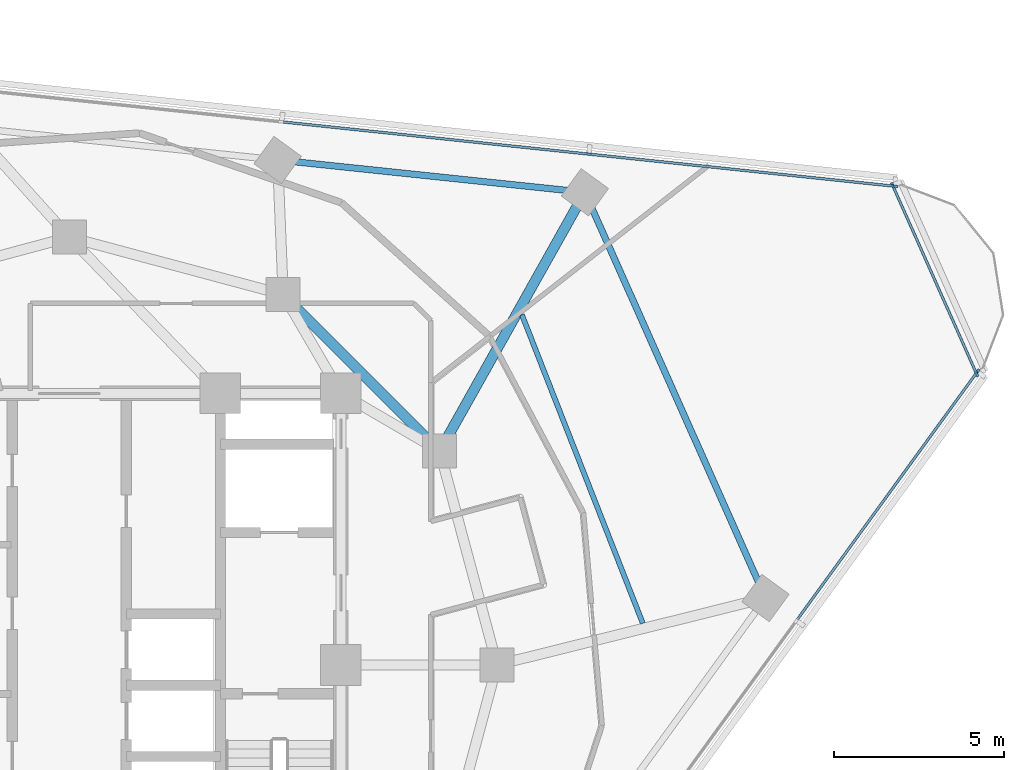
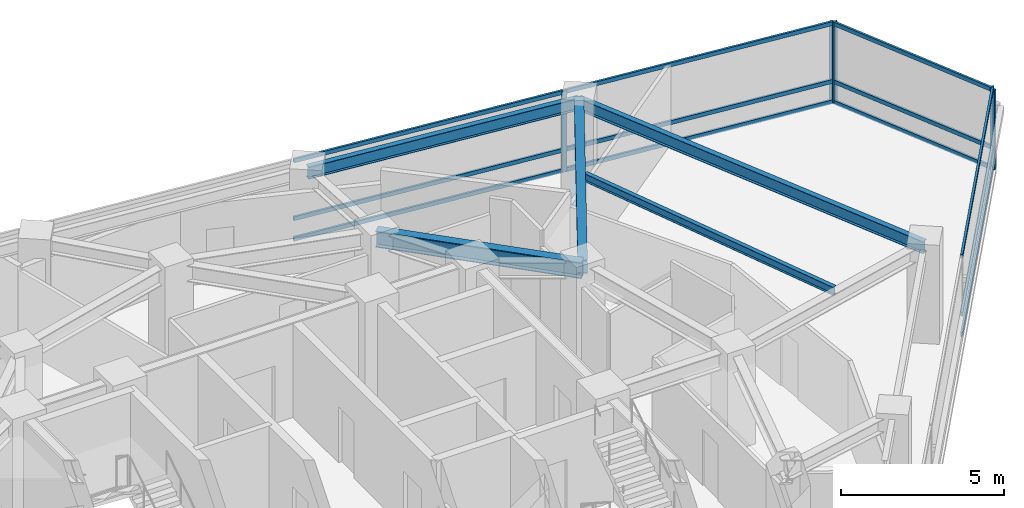
# One storey, part 6 of 14: 17 members, 5 beams, 3 elements without a shape of their own.
"""IFC4 building model written with IfcOpenShell, lengths in metres."""

from ifc_helpers import new_model, si_unit, direction, frame, origin, origin_2d, place, context, subcontext, project, spatial, rectangle, i_section, extrude, material, layer, layer_set, material_profile, profile_set, type_object, element, aggregate, save


model = new_model("IFC4")

# Units and contexts
model_context = context("Model", 3, precision=1e-05, world=origin(), true_north=direction((0.0, 1.0)))
body_context = subcontext(model_context, "Body", "Model", "MODEL_VIEW")
ifc_project = project(units=[si_unit("LENGTHUNIT", "METRE"), si_unit("AREAUNIT", "SQUARE_METRE"), si_unit("VOLUMEUNIT", "CUBIC_METRE"), si_unit("PLANEANGLEUNIT", "RADIAN"), si_unit("MASSUNIT", "GRAM", prefix="KILO")], contexts=[model_context])

# Site, building, storey
site_placement = place(None, origin())
site = spatial("IfcSite", under=ifc_project, at=site_placement, CompositionType="ELEMENT")
building_placement = place(site_placement, origin())
building = spatial("IfcBuilding", under=site, at=building_placement, Name="Terralouvre Media Tower", CompositionType="ELEMENT")
storey_placement = place(building_placement, frame((0.0, 0.0, 226.300048828125)))
storey = spatial("IfcBuildingStorey", under=building, at=storey_placement, Name="L58", CompositionType="ELEMENT", Elevation=226.300048828125)

# Beam
ifc_material_1 = material(Name="Structural steel S355J2", Category="steel")
ifc_material_profile_1 = material_profile(ifc_material_1, i_section(OverallWidth=0.14990234375, OverallDepth=0.300048828125, WebThickness=0.007080078125, FlangeThickness=0.0107421875, at=origin_2d()), Name="IPE 300")
ifc_profile_set_1 = profile_set([ifc_material_profile_1], Name="Structural steel S355J2")
beam_type_1 = type_object("IfcBeamType", Name="Composite Floor Joist J-IPE300 (IPE 300)", PredefinedType="JOIST", material=ifc_profile_set_1)
beam_1_placement = place(storey_placement, frame((16.89599609375, 1.2236328125, 3.349853515625), z_axis=(-0.364828295423, 0.931074817004, 0.0), x_axis=(-0.931074817004, -0.364828295423, 0.0)))
element("IfcBeam", 1, at=beam_1_placement, inside=storey, type_object=beam_type_1, Name="L58 Framing Beam JT-L58-03", PredefinedType="JOIST", context=body_context, shape_type="SweptSolid", body=[
    extrude(i_section(OverallWidth=0.14990234375, OverallDepth=0.300048828125, WebThickness=0.007080078125, FlangeThickness=0.0107421875, at=origin_2d()), origin(), (0.0, 0.0, 1.0), 9.763427734375),
])

# Curtain wall, members
ifc_material_2 = material(Name="Low-iron laminated double glazing with solar-control coating", Category="glass")
ifc_layer_1 = layer(ifc_material_2, 0.1650390625, Name="Upper Executive Tower Curtain Wall CW-05")
ifc_layer_set_1 = layer_set([ifc_layer_1], Name="Low-iron laminated double glazing with solar-control coating")
curtain_wall_type_1 = type_object("IfcCurtainWallType", Name="Upper Executive Tower Curtain Wall CW-05", PredefinedType="NOTDEFINED", material=ifc_layer_set_1)
curtain_wall_1_placement = place(storey_placement, origin())
curtain_wall_1 = element("IfcCurtainWall", 2, at=curtain_wall_1_placement, inside=storey, type_object=curtain_wall_type_1, Name="L58 Facade Curtain Wall F0", PredefinedType="NOTDEFINED")
ifc_material_3 = material(Name="Anodised extruded aluminium 6063-T6", Category="aluminium")
ifc_material_profile_2 = material_profile(ifc_material_3, rectangle(XDim=0.074951171875, YDim=0.14990234375, at=origin_2d()), Name="ALU 75x150")
ifc_profile_set_2 = profile_set([ifc_material_profile_2], Name="Anodised extruded aluminium 6063-T6")
member_type_1 = type_object("IfcMemberType", Name="Curtain-Wall Horizontal Transom TR-150", PredefinedType="USERDEFINED", material=ifc_profile_set_2)
member_1_placement = place(storey_placement, frame((21.446533203125, 1.3369140625, 0.037353515625), z_axis=(0.587787215692, 0.809015567878, 0.0), x_axis=(-0.809015567878, 0.587787215692, 0.0)))
member_1 = element("IfcMember", 3, at=member_1_placement, type_object=member_type_1, Name="CW-05 transom 5.1", ObjectType="TRANSOM", PredefinedType="USERDEFINED", context=body_context, shape_type="SweptSolid", body=[
    extrude(rectangle(XDim=0.074951171875, YDim=0.14990234375, at=origin_2d()), origin(), (0.0, 0.0, 1.0), 8.987548828125),
])
member_2_placement = place(storey_placement, frame((21.446533203125, 1.3369140625, 0.800048828125), z_axis=(0.587787215692, 0.809015567878, 0.0), x_axis=(-0.809015567878, 0.587787215692, 0.0)))
member_2 = element("IfcMember", 4, at=member_2_placement, type_object=member_type_1, Name="CW-05 transom 5.2", ObjectType="TRANSOM", PredefinedType="USERDEFINED", context=body_context, shape_type="SweptSolid", body=[
    extrude(rectangle(XDim=0.074951171875, YDim=0.14990234375, at=origin_2d()), origin(), (0.0, 0.0, 1.0), 8.987548828125),
])
member_3_placement = place(storey_placement, frame((21.446533203125, 1.3369140625, 2.96240234375), z_axis=(0.587787215692, 0.809015567878, 0.0), x_axis=(-0.809015567878, 0.587787215692, 0.0)))
member_3 = element("IfcMember", 5, at=member_3_placement, type_object=member_type_1, Name="CW-05 transom 5.3", ObjectType="TRANSOM", PredefinedType="USERDEFINED", context=body_context, shape_type="SweptSolid", body=[
    extrude(rectangle(XDim=0.074951171875, YDim=0.14990234375, at=origin_2d()), origin(), (0.0, 0.0, 1.0), 8.987548828125),
])

curtain_wall_2_placement = place(storey_placement, origin())
curtain_wall_2 = element("IfcCurtainWall", 6, at=curtain_wall_2_placement, inside=storey, type_object=curtain_wall_type_1, Name="L58 Facade Curtain Wall F1", PredefinedType="NOTDEFINED")
member_4_placement = place(storey_placement, frame((24.2822265625, 14.103759765625, 0.037353515625), z_axis=(-0.994521813919, 0.104529238206, 0.0), x_axis=(-0.104529238206, -0.994521813919, 0.0)))
member_4 = element("IfcMember", 7, at=member_4_placement, type_object=member_type_1, Name="CW-05 transom 1.1", ObjectType="TRANSOM", PredefinedType="USERDEFINED", context=body_context, shape_type="SweptSolid", body=[
    extrude(rectangle(XDim=0.074951171875, YDim=0.14990234375, at=origin_2d()), origin(), (0.0, 0.0, 1.0), 8.987548828125),
])
member_5_placement = place(storey_placement, frame((24.2822265625, 14.103759765625, 0.800048828125), z_axis=(-0.994521813919, 0.104529238206, 0.0), x_axis=(-0.104529238206, -0.994521813919, 0.0)))
member_5 = element("IfcMember", 8, at=member_5_placement, type_object=member_type_1, Name="CW-05 transom 1.2", ObjectType="TRANSOM", PredefinedType="USERDEFINED", context=body_context, shape_type="SweptSolid", body=[
    extrude(rectangle(XDim=0.074951171875, YDim=0.14990234375, at=origin_2d()), origin(), (0.0, 0.0, 1.0), 8.987548828125),
])
member_6_placement = place(storey_placement, frame((24.2822265625, 14.103759765625, 2.96240234375), z_axis=(-0.994521813919, 0.104529238206, 0.0), x_axis=(-0.104529238206, -0.994521813919, 0.0)))
member_6 = element("IfcMember", 9, at=member_6_placement, type_object=member_type_1, Name="CW-05 transom 1.3", ObjectType="TRANSOM", PredefinedType="USERDEFINED", context=body_context, shape_type="SweptSolid", body=[
    extrude(rectangle(XDim=0.074951171875, YDim=0.14990234375, at=origin_2d()), origin(), (0.0, 0.0, 1.0), 8.987548828125),
])
member_7_placement = place(storey_placement, frame((15.26953125, 15.051025390625, 0.037353515625), z_axis=(-0.994522041896, 0.104527069141, 0.0), x_axis=(-0.104527069141, -0.994522041896, 0.0)))
member_7 = element("IfcMember", 10, at=member_7_placement, type_object=member_type_1, Name="CW-05 transom 2.1", ObjectType="TRANSOM", PredefinedType="USERDEFINED", context=body_context, shape_type="SweptSolid", body=[
    extrude(rectangle(XDim=0.074951171875, YDim=0.14990234375, at=origin_2d()), origin(), (0.0, 0.0, 1.0), 9.025146484375),
])
member_8_placement = place(storey_placement, frame((15.26953125, 15.051025390625, 0.800048828125), z_axis=(-0.994522041896, 0.104527069141, 0.0), x_axis=(-0.104527069141, -0.994522041896, 0.0)))
member_8 = element("IfcMember", 11, at=member_8_placement, type_object=member_type_1, Name="CW-05 transom 2.2", ObjectType="TRANSOM", PredefinedType="USERDEFINED", context=body_context, shape_type="SweptSolid", body=[
    extrude(rectangle(XDim=0.074951171875, YDim=0.14990234375, at=origin_2d()), origin(), (0.0, 0.0, 1.0), 9.025146484375),
])
member_9_placement = place(storey_placement, frame((15.26953125, 15.051025390625, 2.96240234375), z_axis=(-0.994522041896, 0.104527069141, 0.0), x_axis=(-0.104527069141, -0.994522041896, 0.0)))
member_9 = element("IfcMember", 12, at=member_9_placement, type_object=member_type_1, Name="CW-05 transom 2.3", ObjectType="TRANSOM", PredefinedType="USERDEFINED", context=body_context, shape_type="SweptSolid", body=[
    extrude(rectangle(XDim=0.074951171875, YDim=0.14990234375, at=origin_2d()), origin(), (0.0, 0.0, 1.0), 9.025146484375),
])

ifc_material_4 = material(Name="Low-iron laminated double glazing with solar-control coating", Category="glass")
ifc_layer_2 = layer(ifc_material_4, 0.1650390625, Name="Rounded Wind-Corner Curved Glazing CW-04")
ifc_layer_set_2 = layer_set([ifc_layer_2], Name="Low-iron laminated double glazing with solar-control coating")
curtain_wall_type_2 = type_object("IfcCurtainWallType", Name="Rounded Wind-Corner Curved Glazing CW-04", PredefinedType="NOTDEFINED", material=ifc_layer_set_2)
curtain_wall_3_placement = place(storey_placement, origin())
curtain_wall_3 = element("IfcCurtainWall", 13, at=curtain_wall_3_placement, inside=storey, type_object=curtain_wall_type_2, Name="L58 Rounded Wind-Corner Curtain Wall C1", PredefinedType="NOTDEFINED")
member_10_placement = place(storey_placement, frame((26.7119140625, 8.609619140625, 0.037353515625), z_axis=(-0.406735002592, 0.913546188031, 0.0), x_axis=(-0.913546188031, -0.406735002592, 0.0)))
member_10 = element("IfcMember", 14, at=member_10_placement, type_object=member_type_1, Name="CW-04 transom 1.1", ObjectType="TRANSOM", PredefinedType="USERDEFINED", context=body_context, shape_type="SweptSolid", body=[
    extrude(rectangle(XDim=0.074951171875, YDim=0.14990234375, at=origin_2d()), origin(), (0.0, 0.0, 1.0), 5.998779296875),
])
member_11_placement = place(storey_placement, frame((26.7119140625, 8.609619140625, 0.800048828125), z_axis=(-0.406735002592, 0.913546188031, 0.0), x_axis=(-0.913546188031, -0.406735002592, 0.0)))
member_11 = element("IfcMember", 15, at=member_11_placement, type_object=member_type_1, Name="CW-04 transom 1.2", ObjectType="TRANSOM", PredefinedType="USERDEFINED", context=body_context, shape_type="SweptSolid", body=[
    extrude(rectangle(XDim=0.074951171875, YDim=0.14990234375, at=origin_2d()), origin(), (0.0, 0.0, 1.0), 5.998779296875),
])
member_12_placement = place(storey_placement, frame((26.7119140625, 8.609619140625, 2.96240234375), z_axis=(-0.406735002592, 0.913546188031, 0.0), x_axis=(-0.913546188031, -0.406735002592, 0.0)))
member_12 = element("IfcMember", 16, at=member_12_placement, type_object=member_type_1, Name="CW-04 transom 1.3", ObjectType="TRANSOM", PredefinedType="USERDEFINED", context=body_context, shape_type="SweptSolid", body=[
    extrude(rectangle(XDim=0.074951171875, YDim=0.14990234375, at=origin_2d()), origin(), (0.0, 0.0, 1.0), 5.998779296875),
])

# Member
ifc_material_5 = material(Name="Anodised extruded aluminium 6063-T6", Category="aluminium")
ifc_material_profile_3 = material_profile(ifc_material_5, rectangle(XDim=0.074951171875, YDim=0.179931640625, at=origin_2d()), Name="ALU 75x180")
ifc_profile_set_3 = profile_set([ifc_material_profile_3], Name="Anodised extruded aluminium 6063-T6")
member_type_2 = type_object("IfcMemberType", Name="Curtain-Wall Vertical Mullion ML-180", PredefinedType="MULLION", material=ifc_profile_set_3)
member_13_placement = place(storey_placement, frame((26.751220703125, 8.63818359375, 0.0), z_axis=(0.0, 0.0, 1.0), x_axis=(-0.809016959074, 0.587785300879, 0.0)))
member_13 = element("IfcMember", 17, at=member_13_placement, type_object=member_type_2, Name="CW-05 mullion 6", PredefinedType="MULLION", context=body_context, shape_type="SweptSolid", body=[
    extrude(rectangle(XDim=0.074951171875, YDim=0.179931640625, at=origin_2d()), origin(), (0.0, 0.0, 1.0), 3.0),
])

aggregate(curtain_wall_1, [member_13, member_1, member_2, member_3])

member_14_placement = place(storey_placement, frame((24.319580078125, 14.099853515625, 0.0), z_axis=(0.0, 0.0, 1.0), x_axis=(-0.104528561651, -0.994521885028, 0.0)))
member_14 = element("IfcMember", 18, at=member_14_placement, type_object=member_type_2, Name="CW-05 mullion 1", PredefinedType="MULLION", context=body_context, shape_type="SweptSolid", body=[
    extrude(rectangle(XDim=0.074951171875, YDim=0.179931640625, at=origin_2d()), origin(), (0.0, 0.0, 1.0), 3.0),
])

member_15_placement = place(storey_placement, frame((15.306640625, 15.047119140625, 0.0), z_axis=(0.0, 0.0, 1.0), x_axis=(-0.104528561651, -0.994521885028, 0.0)))
member_15 = element("IfcMember", 19, at=member_15_placement, type_object=member_type_2, Name="CW-05 mullion 2", PredefinedType="MULLION", context=body_context, shape_type="SweptSolid", body=[
    extrude(rectangle(XDim=0.074951171875, YDim=0.179931640625, at=origin_2d()), origin(), (0.0, 0.0, 1.0), 3.0),
])

aggregate(curtain_wall_2, [member_14, member_15, member_4, member_5, member_6, member_7, member_8, member_9])

member_16_placement = place(storey_placement, frame((26.727294921875, 8.575439453125, 0.0), z_axis=(0.0, 0.0, 1.0), x_axis=(-0.913545102243, -0.406737441315, 0.0)))
member_16 = element("IfcMember", 20, at=member_16_placement, type_object=member_type_2, Name="CW-04 mullion 1", PredefinedType="MULLION", context=body_context, shape_type="SweptSolid", body=[
    extrude(rectangle(XDim=0.074951171875, YDim=0.179931640625, at=origin_2d()), origin(), (0.0, 0.0, 1.0), 3.0),
])

member_17_placement = place(storey_placement, frame((24.2568359375, 14.1240234375, 0.0), z_axis=(0.0, 0.0, 1.0), x_axis=(-0.913545102243, -0.406737441315, 0.0)))
member_17 = element("IfcMember", 21, at=member_17_placement, type_object=member_type_2, Name="CW-04 mullion 2", PredefinedType="MULLION", context=body_context, shape_type="SweptSolid", body=[
    extrude(rectangle(XDim=0.074951171875, YDim=0.179931640625, at=origin_2d()), origin(), (0.0, 0.0, 1.0), 3.0),
])

aggregate(curtain_wall_3, [member_16, member_17, member_10, member_11, member_12])

# Beams
ifc_material_6 = material(Name="Structural steel S355J2", Category="steel")
ifc_material_profile_4 = material_profile(ifc_material_6, i_section(OverallWidth=0.18994140625, OverallDepth=0.449951171875, WebThickness=0.009521484375, FlangeThickness=0.0146484375, at=origin_2d()), Name="IPE 450")
ifc_profile_set_4 = profile_set([ifc_material_profile_4], Name="Structural steel S355J2")
beam_type_2 = type_object("IfcBeamType", Name="Perimeter Spandrel Beam SPB-450 (IPE 450)", PredefinedType="SPANDREL", material=ifc_profile_set_4)
beam_2_placement = place(storey_placement, frame((20.51025390625, 1.970703125, 3.27490234375), z_axis=(-0.406744336382, 0.913542032323, 0.0), x_axis=(-0.913542032323, -0.406744336382, 0.0)))
element("IfcBeam", 22, at=beam_2_placement, inside=storey, type_object=beam_type_2, Name="L58 Framing Beam BM-L58-PR07", PredefinedType="SPANDREL", context=body_context, shape_type="SweptSolid", body=[
    extrude(i_section(OverallWidth=0.18994140625, OverallDepth=0.449951171875, WebThickness=0.009521484375, FlangeThickness=0.0146484375, at=origin_2d()), origin(), (0.0, 0.0, 1.0), 13.083740234375),
])
beam_3_placement = place(storey_placement, frame((15.1884765625, 13.92333984375, 3.27490234375), z_axis=(-0.994522199081, 0.104525573596, 0.0), x_axis=(-0.104525573596, -0.994522199081, 0.0)))
element("IfcBeam", 23, at=beam_3_placement, inside=storey, type_object=beam_type_2, Name="L58 Framing Beam BM-L58-PR08", PredefinedType="SPANDREL", context=body_context, shape_type="SweptSolid", body=[
    extrude(i_section(OverallWidth=0.18994140625, OverallDepth=0.449951171875, WebThickness=0.009521484375, FlangeThickness=0.0146484375, at=origin_2d()), origin(), (0.0, 0.0, 1.0), 9.099853515625),
])
ifc_material_7 = material(Name="Structural steel S355J2", Category="steel")
ifc_material_profile_5 = material_profile(ifc_material_7, i_section(OverallWidth=0.300048828125, OverallDepth=0.5, WebThickness=0.014404296875, FlangeThickness=0.028076171875, at=origin_2d()), Name="HEB 500")
ifc_profile_set_5 = profile_set([ifc_material_profile_5], Name="Structural steel S355J2")
beam_type_3 = type_object("IfcBeamType", Name="Primary Floor Girder B-HEB500 (HEB 500)", PredefinedType="BEAM", material=ifc_profile_set_5)
beam_4_placement = place(storey_placement, frame((10.911865234375, 6.300048828125, 3.25), z_axis=(0.489262374018, 0.872136646042, 0.0), x_axis=(-0.872136646042, 0.489262374018, 0.0)))
element("IfcBeam", 24, at=beam_4_placement, inside=storey, type_object=beam_type_3, Name="L58 Framing Beam BM-L58-RD08", PredefinedType="BEAM", context=body_context, shape_type="SweptSolid", body=[
    extrude(i_section(OverallWidth=0.300048828125, OverallDepth=0.5, WebThickness=0.014404296875, FlangeThickness=0.028076171875, at=origin_2d()), origin(), (0.0, 0.0, 1.0), 8.740966796875),
])
ifc_material_8 = material(Name="Structural steel S460M", Category="steel")
ifc_material_profile_6 = material_profile(ifc_material_8, i_section(OverallWidth=0.300048828125, OverallDepth=0.60009765625, WebThickness=0.015380859375, FlangeThickness=0.030029296875, at=origin_2d()), Name="HEB 600")
ifc_profile_set_6 = profile_set([ifc_material_profile_6], Name="Structural steel S460M")
beam_type_4 = type_object("IfcBeamType", Name="Primary Floor Girder B-HEB600 (HEB 600)", PredefinedType="BEAM", material=ifc_profile_set_6)
beam_5_placement = place(storey_placement, frame((10.911865234375, 6.300048828125, 3.199951171875), z_axis=(-0.707106781187, 0.707106781187, 0.0), x_axis=(-0.707106781187, -0.707106781187, 0.0)))
element("IfcBeam", 25, at=beam_5_placement, inside=storey, type_object=beam_type_4, Name="L58 Framing Beam BM-L58-MR07", PredefinedType="BEAM", context=body_context, shape_type="SweptSolid", body=[
    extrude(i_section(OverallWidth=0.300048828125, OverallDepth=0.60009765625, WebThickness=0.015380859375, FlangeThickness=0.030029296875, at=origin_2d()), origin(), (0.0, 0.0, 1.0), 6.52197265625),
])

save(model, "model.ifc")
